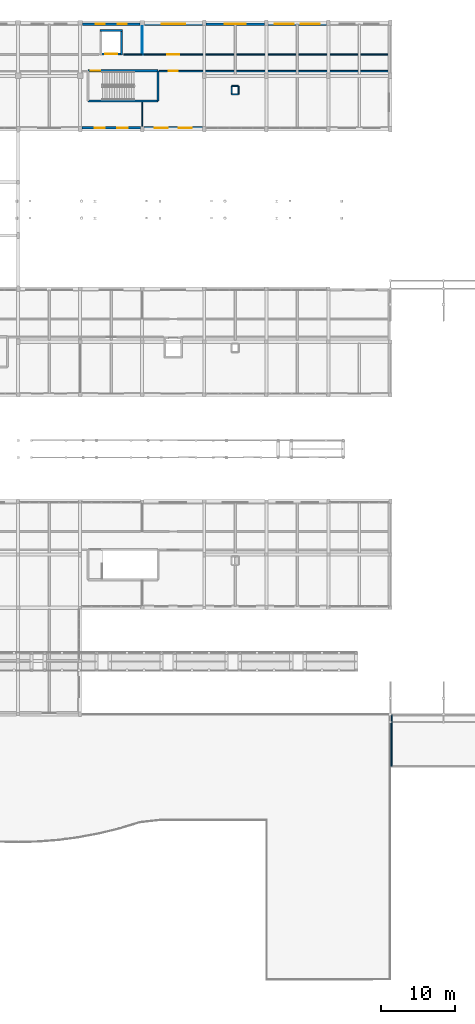
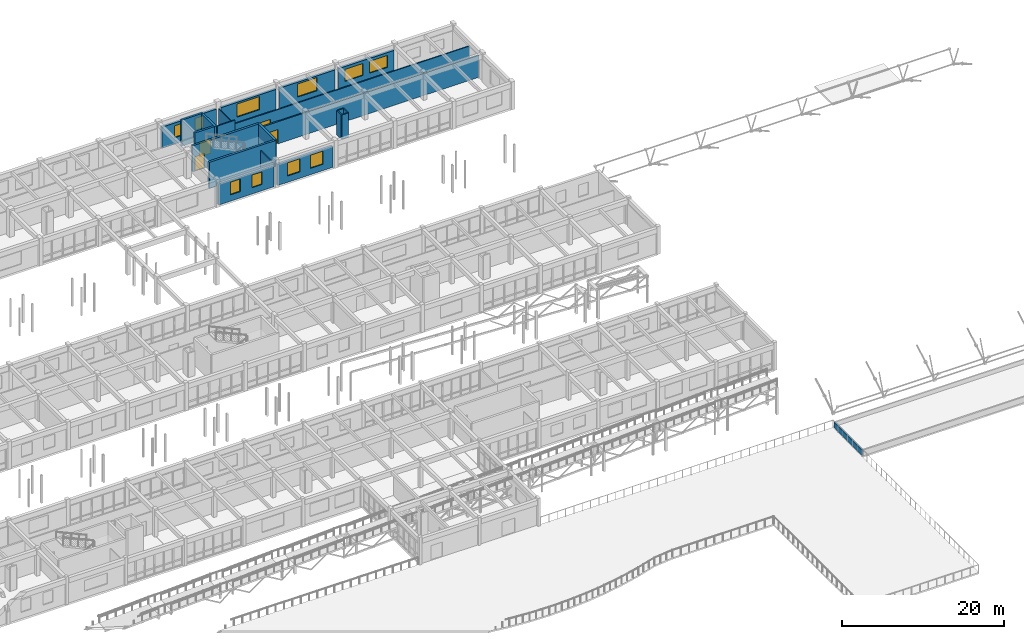
# One storey, part 78 of 90: 22 walls, 10 windows, 4 doors, 14 openings.
"""IFC4 building model written with IfcOpenShell, lengths in metres."""

import ifcopenshell
import ifcopenshell.guid

model = None  # the IFC model being written
_history = None  # IfcOwnerHistory: only IFC2X3 demands one
_inside = {}  # id of a spatial element -> (the spatial element, [elements in it])
_under = {}  # id of a project, library or spatial element -> (it, [spatial elements below it])
_declared = {}  # id of a project -> (the project, [libraries it declares])
_typed = {}  # id of a type object -> (the type object, [elements of that type])
_made_of = {}  # id of a material, layer set ... -> (it, [elements and type objects made of it])


def new_model(schema):
    """Start an empty IFC model of exactly this schema.

    Asked for "IFC4X3", IfcOpenShell would pick the latest addendum, in which some entities
    have other attributes; the version numbers below select the first issue.
    IFC2X3 requires an IfcOwnerHistory on every rooted entity: one is made here for all.
    """
    global model, _history
    if schema == "IFC4X3":
        model = ifcopenshell.file(schema_version=(4, 3, 0, 0))
    else:
        model = ifcopenshell.file(schema=schema)
    _inside.clear()
    _under.clear()
    _declared.clear()
    _typed.clear()
    _made_of.clear()
    _history = None
    if model.schema == "IFC2X3":
        org = make("IfcOrganization", Name="unknown")
        user = make(
            "IfcPersonAndOrganization",
            ThePerson=make("IfcPerson", FamilyName="unknown"),
            TheOrganization=org,
        )
        app = make(
            "IfcApplication",
            ApplicationDeveloper=org,
            Version="unknown",
            ApplicationFullName="unknown",
            ApplicationIdentifier="unknown",
        )
        _history = make(
            "IfcOwnerHistory",
            OwningUser=user,
            OwningApplication=app,
            ChangeAction="ADDED",
            CreationDate=0,
        )
    return model


def make(cls, **values):
    """One entity of the class cls with the attributes given. An attribute that is None is left unset."""
    return model.create_entity(
        cls, **{name: value for name, value in values.items() if value is not None}
    )


def rooted(cls, **values):
    """An entity with a GlobalId (a new one), such as an element, a storey or a relation."""
    return make(cls, GlobalId=ifcopenshell.guid.new(), OwnerHistory=_history, **values)


def si_unit(unit_type, name, prefix=None):
    """IfcSIUnit, for example si_unit("LENGTHUNIT", "METRE", prefix="MILLI")."""
    return make("IfcSIUnit", UnitType=unit_type, Prefix=prefix, Name=name)


def assignment(units):
    """IfcUnitAssignment: the units of a project."""
    return None if units is None else make("IfcUnitAssignment", Units=units)


def point(xyz):
    """IfcCartesianPoint."""
    return None if xyz is None else make("IfcCartesianPoint", Coordinates=xyz)


def direction(xyz):
    """IfcDirection."""
    return None if xyz is None else make("IfcDirection", DirectionRatios=xyz)


def frame(location, z_axis=None, x_axis=None):
    """IfcAxis2Placement3D, a coordinate frame: its origin and axes. An axis left out is left unset."""
    return make(
        "IfcAxis2Placement3D",
        Location=point(location),
        Axis=direction(z_axis),
        RefDirection=direction(x_axis),
    )


def frame_2d(location, x_axis=None):
    """IfcAxis2Placement2D, a coordinate frame in the plane: its origin and x axis."""
    return make(
        "IfcAxis2Placement2D", Location=point(location), RefDirection=direction(x_axis)
    )


def origin():
    """The frame at (0, 0, 0) with its axes left unset."""
    return frame((0.0, 0.0, 0.0))


def place(relative_to, where):
    """IfcLocalPlacement: puts the frame where relative to a parent placement (None: the world)."""
    return make(
        "IfcLocalPlacement", PlacementRelTo=relative_to, RelativePlacement=where
    )


def context(
    kind, dimensions, precision=None, world=None, true_north=None, identifier=None
):
    """IfcGeometricRepresentationContext, for example the 3D "Model" context."""
    return make(
        "IfcGeometricRepresentationContext",
        ContextIdentifier=identifier,
        ContextType=kind,
        CoordinateSpaceDimension=dimensions,
        Precision=precision,
        WorldCoordinateSystem=world,
        TrueNorth=true_north,
    )


def subcontext(parent, identifier, kind, view, scale=None):
    """IfcGeometricRepresentationSubContext, for example "Body" below "Model"."""
    return make(
        "IfcGeometricRepresentationSubContext",
        ContextIdentifier=identifier,
        ContextType=kind,
        ParentContext=parent,
        TargetScale=scale,
        TargetView=view,
    )


def project(units=None, contexts=None):
    """IfcProject with its units and contexts."""
    return rooted(
        "IfcProject",
        Name="project",
        RepresentationContexts=contexts,
        UnitsInContext=assignment(units),
    )


def spatial(cls, under=None, at=None, **own):
    """A site, building, storey or space (cls), placed at a placement, below another one or the project."""
    s = rooted(cls, ObjectPlacement=at, **own)
    if under is not None:
        _under.setdefault(under.id(), (under, []))[1].append(s)
    return s


def profile(cls, at=None, kind="AREA", **sizes):
    """A parametric profile (cls). Its sizes go by their IFC names, for example OverallWidth=200.0."""
    return make(cls, ProfileType=kind, Position=at, **sizes)


def rectangle(**sizes):
    """IfcRectangleProfileDef."""
    return profile("IfcRectangleProfileDef", **sizes)


def extrude(swept, where, along, depth):
    """IfcExtrudedAreaSolid: the profile swept, set in the frame where, extruded along a direction by depth."""
    return make(
        "IfcExtrudedAreaSolid",
        SweptArea=swept,
        Position=where,
        ExtrudedDirection=direction(along),
        Depth=depth,
    )


def shape(context_of_items, identifier, shape_type, items):
    """IfcShapeRepresentation: the items that make up one representation, for example the "Body"."""
    return make(
        "IfcShapeRepresentation",
        ContextOfItems=context_of_items,
        RepresentationIdentifier=identifier,
        RepresentationType=shape_type,
        Items=items,
    )


def material(Name=None, Category=None):
    """IfcMaterial."""
    return make("IfcMaterial", Name=Name, Category=Category)


def layer(
    of_material, thickness, ventilated=None, Name=None, Category=None, Priority=None
):
    """IfcMaterialLayer: one layer of a wall or slab, of a material (None: an air gap)."""
    return make(
        "IfcMaterialLayer",
        Material=of_material,
        LayerThickness=thickness,
        IsVentilated=ventilated,
        Name=Name,
        Category=Category,
        Priority=Priority,
    )


def layer_set(layers, Name=None):
    """IfcMaterialLayerSet."""
    return make("IfcMaterialLayerSet", MaterialLayers=layers, LayerSetName=Name)


def made_of(thing, what):
    """Note that an element or type object is made of a material, layer set ...; save() writes the relation."""
    if what is not None:
        _made_of.setdefault(what.id(), (what, []))[1].append(thing)
    return thing


def type_object(cls, material=None, **own):
    """A type object (cls), such as IfcWallType, which elements share."""
    return made_of(rooted(cls, **own), material)


def element(
    cls,
    number,
    at=None,
    inside=None,
    cuts=None,
    type_object=None,
    material=None,
    context=None,
    identifier="Body",
    shape_type=None,
    held_by="IfcProductDefinitionShape",
    body=None,
    shapes=None,
    **own,
):
    """One element of the class cls, such as IfcWall. Its Tag is "e" and its number.

    at: its placement. inside: the storey or other place that contains it. cuts: it is an
    opening in that element (IfcRelVoidsElement). A single representation is given by context,
    identifier, shape_type and body (its items); several are given by shapes. held_by: the class
    of the entity that holds the representations. save() writes the other relations.
    """
    e = rooted(cls, Tag="e%d" % number, ObjectPlacement=at, **own)
    if body is not None:
        shapes = [shape(context, identifier, shape_type, body)]
    if shapes is not None:
        e.Representation = make(held_by, Representations=shapes)
    if inside is not None:
        _inside.setdefault(inside.id(), (inside, []))[1].append(e)
    if cuts is not None:
        rooted(
            "IfcRelVoidsElement", RelatingBuildingElement=cuts, RelatedOpeningElement=e
        )
    if type_object is not None:
        _typed.setdefault(type_object.id(), (type_object, []))[1].append(e)
    return made_of(e, material)


def fill(opening, filler):
    """IfcRelFillsElement: the door or window that sits in an opening."""
    return rooted(
        "IfcRelFillsElement",
        RelatingOpeningElement=opening,
        RelatedBuildingElement=filler,
    )


def aggregate(whole, parts):
    """IfcRelAggregates: a whole, such as a stair, and the parts it consists of."""
    return rooted("IfcRelAggregates", RelatingObject=whole, RelatedObjects=parts)


def save(model, path):
    """Write the relations noted so far, then the file.

    IfcRelAggregates (storeys below a building ...), IfcRelContainedInSpatialStructure (elements
    in a storey), IfcRelDefinesByType, IfcRelAssociatesMaterial and IfcRelDeclares: one each for
    every whole, place, type object, material and project.
    """
    for whole, parts in _under.values():
        aggregate(whole, parts)
    for where, things in _inside.values():
        rooted(
            "IfcRelContainedInSpatialStructure",
            RelatedElements=things,
            RelatingStructure=where,
        )
    for kind, things in _typed.values():
        rooted("IfcRelDefinesByType", RelatedObjects=things, RelatingType=kind)
    for what, things in _made_of.values():
        rooted("IfcRelAssociatesMaterial", RelatedObjects=things, RelatingMaterial=what)
    for by, libraries in _declared.values():
        rooted("IfcRelDeclares", RelatingContext=by, RelatedDefinitions=libraries)
    model.write(path)


model = new_model("IFC4")

# Units and contexts
model_context = context("Model", 3, precision=1e-05, world=origin(), true_north=direction((0.0, 1.0)))
body_context = subcontext(model_context, "Body", "Model", "MODEL_VIEW")
ifc_project = project(units=[si_unit("LENGTHUNIT", "METRE"), si_unit("AREAUNIT", "SQUARE_METRE"), si_unit("VOLUMEUNIT", "CUBIC_METRE"), si_unit("PLANEANGLEUNIT", "RADIAN"), si_unit("MASSUNIT", "GRAM", prefix="KILO")], contexts=[model_context])

# Site, building, storey
site_placement = place(None, origin())
site = spatial("IfcSite", under=ifc_project, at=site_placement, CompositionType="ELEMENT")
building_placement = place(site_placement, origin())
building = spatial("IfcBuilding", under=site, at=building_placement, Name="Malvenik Polytechnic", CompositionType="ELEMENT")
storey_placement = place(building_placement, frame((0.0, 0.0, 9.300048828125)))
storey = spatial("IfcBuildingStorey", under=building, at=storey_placement, Name="L02", CompositionType="ELEMENT", Elevation=9.300048828125)

# Wall, opening, door
ifc_material_1 = material(Name="Concrete C35/45", Category="concrete")
ifc_layer_1 = layer(ifc_material_1, 0.280029296875)
ifc_layer_set_1 = layer_set([ifc_layer_1], Name="Concrete C35/45")
wall_type_1 = type_object("IfcWallType", Name="ARC-CW-S280", PredefinedType="SHEAR", material=ifc_layer_set_1)
wall_1_placement = place(storey_placement, frame((98.139892578125, 125.35009765625, 0.0), z_axis=(0.0, 0.0, 1.0), x_axis=(-1.0, 0.0, 0.0)))
wall_1 = element("IfcWall", 1, at=wall_1_placement, inside=storey, type_object=wall_type_1, Name="Lift Shaft Shear Wall LG-01 L02 -Y", PredefinedType="SHEAR", context=body_context, shape_type="SweptSolid", body=[
    extrude(rectangle(XDim=3.079833984375, YDim=0.280029296875, at=frame_2d((1.5400390625, 0.0))), origin(), (0.0, 0.0, 1.0), 3.93994140625),
])
opening_1_placement = place(wall_1_placement, frame((0.739990234375, 0.0, 0.0)))
opening_1 = element("IfcOpeningElement", 2, at=opening_1_placement, cuts=wall_1, Name="Opening LD-03", PredefinedType="OPENING", context=body_context, shape_type="SweptSolid", body=[
    extrude(rectangle(XDim=1.60009765625, YDim=2.199951171875, at=frame_2d((0.800048828125, 1.10009765625))), frame((0.0, 0.14990234375, 0.0), z_axis=(0.0, -1.0, 0.0), x_axis=(1.0, 0.0, 0.0)), (0.0, 0.0, 1.0), 0.300048828125),
])
ifc_material_2 = material(Name="Stainless steel fire-rated sliding lift landing door", Category="steel")
door_type_1 = type_object("IfcDoorType", Name="ARC-LDR-LD-03", OperationType="NOTDEFINED", PredefinedType="DOOR", material=ifc_material_2)
door_1_placement = place(opening_1_placement, origin())
door_1 = element("IfcDoor", 3, at=door_1_placement, inside=storey, type_object=door_type_1, Name="Lift Sliding Landing Door LG-01 L02", OperationType="DOUBLE_DOOR_SLIDING", OverallHeight=2.199951171875, OverallWidth=1.60009765625, PredefinedType="DOOR", context=body_context, shape_type="SweptSolid", body=[
    extrude(rectangle(XDim=1.60009765625, YDim=2.199951171875, at=frame_2d((0.800048828125, 1.10009765625))), frame((0.0, 0.02490234375, 0.0), z_axis=(0.0, -1.0, 0.0), x_axis=(1.0, 0.0, 0.0)), (0.0, 0.0, 1.0), 0.050048828125),
])
fill(opening_1, door_1)

# Walls
wall_2_placement = place(storey_placement, frame((95.06005859375, 128.550048828125, 0.0), z_axis=(0.0, 0.0, 1.0), x_axis=(1.0, 0.0, 0.0)))
element("IfcWall", 4, at=wall_2_placement, inside=storey, type_object=wall_type_1, Name="Lift Shaft Shear Wall LG-01 L02 +Y", PredefinedType="SHEAR", context=body_context, shape_type="SweptSolid", body=[
    extrude(rectangle(XDim=3.079833984375, YDim=0.280029296875, at=frame_2d((1.5400390625, 0.0))), origin(), (0.0, 0.0, 1.0), 3.93994140625),
])
wall_3_placement = place(storey_placement, frame((98.0, 128.68994140625, 0.0), z_axis=(0.0, 0.0, 1.0), x_axis=(0.0, -1.0, 0.0)))
element("IfcWall", 5, at=wall_3_placement, inside=storey, type_object=wall_type_1, Name="Lift Shaft Shear Wall LG-01 L02 +X", PredefinedType="SHEAR", context=body_context, shape_type="SweptSolid", body=[
    extrude(rectangle(XDim=3.47998046875, YDim=0.280029296875, at=frame_2d((1.739990234375, 0.0))), origin(), (0.0, 0.0, 1.0), 3.93994140625),
])

# Wall, opening, door
ifc_layer_2 = layer(ifc_material_1, 0.300048828125)
ifc_layer_set_2 = layer_set([ifc_layer_2], Name="Concrete C35/45")
wall_type_2 = type_object("IfcWallType", Name="ARC-CW-S300", PredefinedType="SHEAR", material=ifc_layer_set_2)
wall_4_placement = place(storey_placement, frame((93.449951171875, 123.10009765625, 0.0), z_axis=(0.0, 0.0, 1.0), x_axis=(1.0, 0.0, 0.0)))
wall_4 = element("IfcWall", 6, at=wall_4_placement, inside=storey, type_object=wall_type_2, Name="Stair Core Shear Wall ST-03 L02 RGHT", PredefinedType="SHEAR", context=body_context, shape_type="SweptSolid", body=[
    extrude(rectangle(XDim=9.5, YDim=0.300048828125, at=frame_2d((4.75, 0.0))), origin(), (0.0, 0.0, 1.0), 3.93994140625),
])
opening_2_placement = place(wall_4_placement, frame((0.35009765625, 0.0, 0.0)))
opening_2 = element("IfcOpeningElement", 7, at=opening_2_placement, cuts=wall_4, Name="Opening SD-01", PredefinedType="OPENING", context=body_context, shape_type="SweptSolid", body=[
    extrude(rectangle(XDim=1.35009765625, YDim=2.199951171875, at=frame_2d((0.675048828125, 1.10009765625))), frame((0.0, 0.16015625, 0.0), z_axis=(0.0, -1.0, 0.0), x_axis=(1.0, 0.0, 0.0)), (0.0, 0.0, 1.0), 0.320068359375),
])
ifc_material_3 = material(Name="Fire-rated steel stair enclosure door", Category="steel")
door_type_2 = type_object("IfcDoorType", Name="ARC-IDR-SD-01", OperationType="NOTDEFINED", PredefinedType="DOOR", material=ifc_material_3)
door_2_placement = place(opening_2_placement, origin())
door_2 = element("IfcDoor", 8, at=door_2_placement, inside=storey, type_object=door_type_2, Name="Fire Stair Door ST-03 L02", OperationType="SINGLE_SWING_LEFT", OverallHeight=2.199951171875, OverallWidth=1.35009765625, PredefinedType="DOOR", context=body_context, shape_type="SweptSolid", body=[
    extrude(rectangle(XDim=1.35009765625, YDim=2.199951171875, at=frame_2d((0.675048828125, 1.10009765625))), frame((0.0, 0.02490234375, 0.0), z_axis=(0.0, -1.0, 0.0), x_axis=(1.0, 0.0, 0.0)), (0.0, 0.0, 1.0), 0.050048828125),
])
fill(opening_2, door_2)

# Walls
wall_5_placement = place(storey_placement, frame((102.949951171875, 123.10009765625, 0.0), z_axis=(0.0, 0.0, 1.0), x_axis=(0.0, -1.0, 0.0)))
element("IfcWall", 9, at=wall_5_placement, inside=storey, type_object=wall_type_2, Name="Stair Core Shear Wall ST-03 L02 FAR", PredefinedType="SHEAR", context=body_context, shape_type="SweptSolid", body=[
    extrude(rectangle(XDim=4.10009765625, YDim=0.300048828125, at=frame_2d((2.050048828125, 0.0))), origin(), (0.0, 0.0, 1.0), 3.93994140625),
])
wall_6_placement = place(storey_placement, frame((102.949951171875, 119.0, 0.0), z_axis=(0.0, 0.0, 1.0), x_axis=(-1.0, 0.0, 0.0)))
element("IfcWall", 10, at=wall_6_placement, inside=storey, type_object=wall_type_2, Name="Stair Core Shear Wall ST-03 L02 LEFT", PredefinedType="SHEAR", context=body_context, shape_type="SweptSolid", body=[
    extrude(rectangle(XDim=9.5, YDim=0.300048828125, at=frame_2d((4.75, 0.0))), origin(), (0.0, 0.0, 1.0), 3.93994140625),
])

# Wall, openings, windows
ifc_material_4 = material(Name="Concrete C30/37", Category="concrete")
ifc_layer_3 = layer(ifc_material_4, 0.340087890625)
ifc_layer_set_3 = layer_set([ifc_layer_3], Name="Concrete C30/37")
wall_type_3 = type_object("IfcWallType", Name="ARC-EW-340", PredefinedType="SOLIDWALL", material=ifc_layer_set_3)
wall_7_placement = place(storey_placement, frame((108.951904296875, 115.3701171875, 0.0), z_axis=(0.0, 0.0, 1.0), x_axis=(-1.0, 0.0, 0.0)))
wall_7 = element("IfcWall", 11, at=wall_7_placement, inside=storey, type_object=wall_type_3, Name="External Facade Wall EW-02 L02 #324", PredefinedType="SOLIDWALL", context=body_context, shape_type="SweptSolid", body=[
    extrude(rectangle(XDim=7.90380859375, YDim=0.340087890625, at=frame_2d((3.951904296875, 0.0))), origin(), (0.0, 0.0, 1.0), 3.179931640625),
])
opening_3_placement = place(wall_7_placement, frame((1.434814453125, 0.0, 0.949951171875)))
opening_3 = element("IfcOpeningElement", 12, at=opening_3_placement, cuts=wall_7, Name="Opening W-04", PredefinedType="OPENING", context=body_context, shape_type="SweptSolid", body=[
    extrude(rectangle(XDim=1.800048828125, YDim=1.97998046875, at=frame_2d((0.89990234375, 0.989990234375))), frame((0.0, 0.18017578125, 0.0), z_axis=(0.0, -1.0, 0.0), x_axis=(1.0, 0.0, 0.0)), (0.0, 0.0, 1.0), 0.360107421875),
])
opening_4_placement = place(wall_7_placement, frame((4.66943359375, 0.0, 0.949951171875)))
opening_4 = element("IfcOpeningElement", 13, at=opening_4_placement, cuts=wall_7, Name="Opening W-04", PredefinedType="OPENING", context=body_context, shape_type="SweptSolid", body=[
    extrude(rectangle(XDim=1.800048828125, YDim=1.97998046875, at=frame_2d((0.89990234375, 0.989990234375))), frame((0.0, 0.18017578125, 0.0), z_axis=(0.0, -1.0, 0.0), x_axis=(1.0, 0.0, 0.0)), (0.0, 0.0, 1.0), 0.360107421875),
])
ifc_material_5 = material(Name="Thermally broken aluminium frame with low-E double glazing", Category="aluminium")
window_type_1 = type_object("IfcWindowType", Name="ARC-WIN-W-04", PartitioningType="SINGLE_PANEL", PredefinedType="WINDOW", material=ifc_material_5)
window_1_placement = place(opening_3_placement, origin())
window_1 = element("IfcWindow", 14, at=window_1_placement, inside=storey, type_object=window_type_1, Name="Punched Window W-04 L02 #308", OverallHeight=1.97998046875, OverallWidth=1.800048828125, PartitioningType="SINGLE_PANEL", PredefinedType="WINDOW", context=body_context, shape_type="SweptSolid", body=[
    extrude(rectangle(XDim=1.800048828125, YDim=1.97998046875, at=frame_2d((0.89990234375, 0.989990234375))), frame((0.0, 0.030029296875, 0.0), z_axis=(0.0, -1.0, 0.0), x_axis=(1.0, 0.0, 0.0)), (0.0, 0.0, 1.0), 0.06005859375),
])
fill(opening_3, window_1)
window_2_placement = place(opening_4_placement, origin())
window_2 = element("IfcWindow", 15, at=window_2_placement, inside=storey, type_object=window_type_1, Name="Punched Window W-04 L02 #309", OverallHeight=1.97998046875, OverallWidth=1.800048828125, PartitioningType="SINGLE_PANEL", PredefinedType="WINDOW", context=body_context, shape_type="SweptSolid", body=[
    extrude(rectangle(XDim=1.800048828125, YDim=1.97998046875, at=frame_2d((0.89990234375, 0.989990234375))), frame((0.0, 0.030029296875, 0.0), z_axis=(0.0, -1.0, 0.0), x_axis=(1.0, 0.0, 0.0)), (0.0, 0.0, 1.0), 0.06005859375),
])
fill(opening_4, window_2)

wall_8_placement = place(storey_placement, frame((100.552001953125, 115.3701171875, 0.0), z_axis=(0.0, 0.0, 1.0), x_axis=(-1.0, 0.0, 0.0)))
wall_8 = element("IfcWall", 16, at=wall_8_placement, inside=storey, type_object=wall_type_3, Name="External Facade Wall EW-02 L02 #325", PredefinedType="SOLIDWALL", context=body_context, shape_type="SweptSolid", body=[
    extrude(rectangle(XDim=7.904052734375, YDim=0.340087890625, at=frame_2d((3.9521484375, 0.0))), origin(), (0.0, 0.0, 1.0), 3.179931640625),
])
opening_5_placement = place(wall_8_placement, frame((1.701416015625, 0.0, 0.949951171875)))
opening_5 = element("IfcOpeningElement", 17, at=opening_5_placement, cuts=wall_8, Name="Opening W-06", PredefinedType="OPENING", context=body_context, shape_type="SweptSolid", body=[
    extrude(rectangle(XDim=1.39990234375, YDim=1.89990234375, at=frame_2d((0.699951171875, 0.949951171875))), frame((0.0, 0.18017578125, 0.0), z_axis=(0.0, -1.0, 0.0), x_axis=(1.0, 0.0, 0.0)), (0.0, 0.0, 1.0), 0.360107421875),
])
opening_6_placement = place(wall_8_placement, frame((4.802490234375, 0.0, 0.949951171875)))
opening_6 = element("IfcOpeningElement", 18, at=opening_6_placement, cuts=wall_8, Name="Opening W-06", PredefinedType="OPENING", context=body_context, shape_type="SweptSolid", body=[
    extrude(rectangle(XDim=1.39990234375, YDim=1.89990234375, at=frame_2d((0.699951171875, 0.949951171875))), frame((0.0, 0.18017578125, 0.0), z_axis=(0.0, -1.0, 0.0), x_axis=(1.0, 0.0, 0.0)), (0.0, 0.0, 1.0), 0.360107421875),
])
window_type_2 = type_object("IfcWindowType", Name="ARC-WIN-W-06", PartitioningType="SINGLE_PANEL", PredefinedType="WINDOW", material=ifc_material_5)
window_3_placement = place(opening_5_placement, origin())
window_3 = element("IfcWindow", 19, at=window_3_placement, inside=storey, type_object=window_type_2, Name="Punched Window W-06 L02 #310", OverallHeight=1.89990234375, OverallWidth=1.39990234375, PartitioningType="SINGLE_PANEL", PredefinedType="WINDOW", context=body_context, shape_type="SweptSolid", body=[
    extrude(rectangle(XDim=1.39990234375, YDim=1.89990234375, at=frame_2d((0.699951171875, 0.949951171875))), frame((0.0, 0.030029296875, 0.0), z_axis=(0.0, -1.0, 0.0), x_axis=(1.0, 0.0, 0.0)), (0.0, 0.0, 1.0), 0.06005859375),
])
fill(opening_5, window_3)
window_4_placement = place(opening_6_placement, origin())
window_4 = element("IfcWindow", 20, at=window_4_placement, inside=storey, type_object=window_type_2, Name="Punched Window W-06 L02 #311", OverallHeight=1.89990234375, OverallWidth=1.39990234375, PartitioningType="SINGLE_PANEL", PredefinedType="WINDOW", context=body_context, shape_type="SweptSolid", body=[
    extrude(rectangle(XDim=1.39990234375, YDim=1.89990234375, at=frame_2d((0.699951171875, 0.949951171875))), frame((0.0, 0.030029296875, 0.0), z_axis=(0.0, -1.0, 0.0), x_axis=(1.0, 0.0, 0.0)), (0.0, 0.0, 1.0), 0.06005859375),
])
fill(opening_6, window_4)

wall_9_placement = place(storey_placement, frame((92.722900390625, 129.429931640625, 0.0), z_axis=(0.0, 0.0, 1.0), x_axis=(1.0, 0.0, 0.0)))
wall_9 = element("IfcWall", 21, at=wall_9_placement, inside=storey, type_object=wall_type_3, Name="External Facade Wall EW-02 L02 #347", PredefinedType="SOLIDWALL", context=body_context, shape_type="SweptSolid", body=[
    extrude(rectangle(XDim=7.754150390625, YDim=0.340087890625, at=frame_2d((3.876953125, 0.0))), origin(), (0.0, 0.0, 1.0), 3.179931640625),
])
opening_7_placement = place(wall_9_placement, frame((1.78466796875, 0.0, 0.949951171875)))
opening_7 = element("IfcOpeningElement", 22, at=opening_7_placement, cuts=wall_9, Name="Opening W-07", PredefinedType="OPENING", context=body_context, shape_type="SweptSolid", body=[
    extrude(rectangle(XDim=1.199951171875, YDim=1.800048828125, at=frame_2d((0.60009765625, 0.89990234375))), frame((0.0, 0.18017578125, 0.0), z_axis=(0.0, -1.0, 0.0), x_axis=(1.0, 0.0, 0.0)), (0.0, 0.0, 1.0), 0.360107421875),
])
opening_8_placement = place(wall_9_placement, frame((4.769287109375, 0.0, 0.949951171875)))
opening_8 = element("IfcOpeningElement", 23, at=opening_8_placement, cuts=wall_9, Name="Opening W-07", PredefinedType="OPENING", context=body_context, shape_type="SweptSolid", body=[
    extrude(rectangle(XDim=1.199951171875, YDim=1.800048828125, at=frame_2d((0.60009765625, 0.89990234375))), frame((0.0, 0.18017578125, 0.0), z_axis=(0.0, -1.0, 0.0), x_axis=(1.0, 0.0, 0.0)), (0.0, 0.0, 1.0), 0.360107421875),
])
window_type_3 = type_object("IfcWindowType", Name="ARC-WIN-W-07", PartitioningType="SINGLE_PANEL", PredefinedType="WINDOW", material=ifc_material_5)
window_5_placement = place(opening_7_placement, origin())
window_5 = element("IfcWindow", 24, at=window_5_placement, inside=storey, type_object=window_type_3, Name="Punched Window W-07 L02 #343", OverallHeight=1.800048828125, OverallWidth=1.199951171875, PartitioningType="SINGLE_PANEL", PredefinedType="WINDOW", context=body_context, shape_type="SweptSolid", body=[
    extrude(rectangle(XDim=1.199951171875, YDim=1.800048828125, at=frame_2d((0.60009765625, 0.89990234375))), frame((0.0, 0.030029296875, 0.0), z_axis=(0.0, -1.0, 0.0), x_axis=(1.0, 0.0, 0.0)), (0.0, 0.0, 1.0), 0.06005859375),
])
fill(opening_7, window_5)
window_6_placement = place(opening_8_placement, origin())
window_6 = element("IfcWindow", 25, at=window_6_placement, inside=storey, type_object=window_type_3, Name="Punched Window W-07 L02 #344", OverallHeight=1.800048828125, OverallWidth=1.199951171875, PartitioningType="SINGLE_PANEL", PredefinedType="WINDOW", context=body_context, shape_type="SweptSolid", body=[
    extrude(rectangle(XDim=1.199951171875, YDim=1.800048828125, at=frame_2d((0.60009765625, 0.89990234375))), frame((0.0, 0.030029296875, 0.0), z_axis=(0.0, -1.0, 0.0), x_axis=(1.0, 0.0, 0.0)), (0.0, 0.0, 1.0), 0.06005859375),
])
fill(opening_8, window_6)

# Wall, opening, window
wall_10_placement = place(storey_placement, frame((101.123046875, 129.429931640625, 0.0), z_axis=(0.0, 0.0, 1.0), x_axis=(1.0, 0.0, 0.0)))
wall_10 = element("IfcWall", 26, at=wall_10_placement, inside=storey, type_object=wall_type_3, Name="External Facade Wall EW-02 L02 #348", PredefinedType="SOLIDWALL", context=body_context, shape_type="SweptSolid", body=[
    extrude(rectangle(XDim=7.828857421875, YDim=0.340087890625, at=frame_2d((3.91455078125, 0.0))), origin(), (0.0, 0.0, 1.0), 3.179931640625),
])
opening_9_placement = place(wall_10_placement, frame((2.314453125, 0.0, 0.949951171875)))
opening_9 = element("IfcOpeningElement", 27, at=opening_9_placement, cuts=wall_10, Name="Opening W-09", PredefinedType="OPENING", context=body_context, shape_type="SweptSolid", body=[
    extrude(rectangle(XDim=3.199951171875, YDim=1.97998046875, at=frame_2d((1.60009765625, 0.989990234375))), frame((0.0, 0.18017578125, 0.0), z_axis=(0.0, -1.0, 0.0), x_axis=(1.0, 0.0, 0.0)), (0.0, 0.0, 1.0), 0.360107421875),
])
window_type_4 = type_object("IfcWindowType", Name="ARC-WIN-W-09", PartitioningType="SINGLE_PANEL", PredefinedType="WINDOW", material=ifc_material_5)
window_7_placement = place(opening_9_placement, origin())
window_7 = element("IfcWindow", 28, at=window_7_placement, inside=storey, type_object=window_type_4, Name="Punched Window W-09 L02 #345", OverallHeight=1.97998046875, OverallWidth=3.199951171875, PartitioningType="SINGLE_PANEL", PredefinedType="WINDOW", context=body_context, shape_type="SweptSolid", body=[
    extrude(rectangle(XDim=3.199951171875, YDim=1.97998046875, at=frame_2d((1.60009765625, 0.989990234375))), frame((0.0, 0.030029296875, 0.0), z_axis=(0.0, -1.0, 0.0), x_axis=(1.0, 0.0, 0.0)), (0.0, 0.0, 1.0), 0.06005859375),
])
fill(opening_9, window_7)

wall_11_placement = place(storey_placement, frame((109.447998046875, 129.429931640625, 0.0), z_axis=(0.0, 0.0, 1.0), x_axis=(1.0, 0.0, 0.0)))
wall_11 = element("IfcWall", 29, at=wall_11_placement, inside=storey, type_object=wall_type_3, Name="External Facade Wall EW-02 L02 #349", PredefinedType="SOLIDWALL", context=body_context, shape_type="SweptSolid", body=[
    extrude(rectangle(XDim=7.904052734375, YDim=0.340087890625, at=frame_2d((3.9521484375, 0.0))), origin(), (0.0, 0.0, 1.0), 3.179931640625),
])
opening_10_placement = place(wall_11_placement, frame((2.552001953125, 0.0, 0.949951171875)))
opening_10 = element("IfcOpeningElement", 30, at=opening_10_placement, cuts=wall_11, Name="Opening W-10", PredefinedType="OPENING", context=body_context, shape_type="SweptSolid", body=[
    extrude(rectangle(XDim=2.800048828125, YDim=1.97998046875, at=frame_2d((1.39990234375, 0.989990234375))), frame((0.0, 0.18017578125, 0.0), z_axis=(0.0, -1.0, 0.0), x_axis=(1.0, 0.0, 0.0)), (0.0, 0.0, 1.0), 0.360107421875),
])
window_type_5 = type_object("IfcWindowType", Name="ARC-WIN-W-10", PartitioningType="SINGLE_PANEL", PredefinedType="WINDOW", material=ifc_material_5)
window_8_placement = place(opening_10_placement, origin())
window_8 = element("IfcWindow", 31, at=window_8_placement, inside=storey, type_object=window_type_5, Name="Punched Window W-10 L02 #346", OverallHeight=1.97998046875, OverallWidth=2.800048828125, PartitioningType="SINGLE_PANEL", PredefinedType="WINDOW", context=body_context, shape_type="SweptSolid", body=[
    extrude(rectangle(XDim=2.800048828125, YDim=1.97998046875, at=frame_2d((1.39990234375, 0.989990234375))), frame((0.0, 0.030029296875, 0.0), z_axis=(0.0, -1.0, 0.0), x_axis=(1.0, 0.0, 0.0)), (0.0, 0.0, 1.0), 0.06005859375),
])
fill(opening_10, window_8)

# Wall, openings, windows
wall_12_placement = place(storey_placement, frame((117.847900390625, 129.429931640625, 0.0), z_axis=(0.0, 0.0, 1.0), x_axis=(1.0, 0.0, 0.0)))
wall_12 = element("IfcWall", 32, at=wall_12_placement, inside=storey, type_object=wall_type_3, Name="External Facade Wall EW-02 L02 #350", PredefinedType="SOLIDWALL", context=body_context, shape_type="SweptSolid", body=[
    extrude(rectangle(XDim=7.904052734375, YDim=0.340087890625, at=frame_2d((3.9521484375, 0.0))), origin(), (0.0, 0.0, 1.0), 3.179931640625),
])
opening_11_placement = place(wall_12_placement, frame((0.9013671875, 0.0, 0.949951171875)))
opening_11 = element("IfcOpeningElement", 33, at=opening_11_placement, cuts=wall_12, Name="Opening W-11", PredefinedType="OPENING", context=body_context, shape_type="SweptSolid", body=[
    extrude(rectangle(XDim=2.60009765625, YDim=1.800048828125, at=frame_2d((1.300048828125, 0.89990234375))), frame((0.0, 0.18017578125, 0.0), z_axis=(0.0, -1.0, 0.0), x_axis=(1.0, 0.0, 0.0)), (0.0, 0.0, 1.0), 0.360107421875),
])
opening_12_placement = place(wall_12_placement, frame((4.402587890625, 0.0, 0.949951171875)))
opening_12 = element("IfcOpeningElement", 34, at=opening_12_placement, cuts=wall_12, Name="Opening W-11", PredefinedType="OPENING", context=body_context, shape_type="SweptSolid", body=[
    extrude(rectangle(XDim=2.60009765625, YDim=1.800048828125, at=frame_2d((1.300048828125, 0.89990234375))), frame((0.0, 0.18017578125, 0.0), z_axis=(0.0, -1.0, 0.0), x_axis=(1.0, 0.0, 0.0)), (0.0, 0.0, 1.0), 0.360107421875),
])
window_type_6 = type_object("IfcWindowType", Name="ARC-WIN-W-11", PartitioningType="SINGLE_PANEL", PredefinedType="WINDOW", material=ifc_material_5)
window_9_placement = place(opening_11_placement, origin())
window_9 = element("IfcWindow", 35, at=window_9_placement, inside=storey, type_object=window_type_6, Name="Punched Window W-11 L02 #347", OverallHeight=1.800048828125, OverallWidth=2.60009765625, PartitioningType="SINGLE_PANEL", PredefinedType="WINDOW", context=body_context, shape_type="SweptSolid", body=[
    extrude(rectangle(XDim=2.60009765625, YDim=1.800048828125, at=frame_2d((1.300048828125, 0.89990234375))), frame((0.0, 0.030029296875, 0.0), z_axis=(0.0, -1.0, 0.0), x_axis=(1.0, 0.0, 0.0)), (0.0, 0.0, 1.0), 0.06005859375),
])
fill(opening_11, window_9)
window_10_placement = place(opening_12_placement, origin())
window_10 = element("IfcWindow", 36, at=window_10_placement, inside=storey, type_object=window_type_6, Name="Punched Window W-11 L02 #348", OverallHeight=1.800048828125, OverallWidth=2.60009765625, PartitioningType="SINGLE_PANEL", PredefinedType="WINDOW", context=body_context, shape_type="SweptSolid", body=[
    extrude(rectangle(XDim=2.60009765625, YDim=1.800048828125, at=frame_2d((1.300048828125, 0.89990234375))), frame((0.0, 0.030029296875, 0.0), z_axis=(0.0, -1.0, 0.0), x_axis=(1.0, 0.0, 0.0)), (0.0, 0.0, 1.0), 0.06005859375),
])
fill(opening_12, window_10)

# Wall, opening, door
ifc_material_6 = material(Name="Calcium silicate fire-rated blockwork 200mm", Category="masonry")
ifc_layer_4 = layer(ifc_material_6, 0.199951171875)
ifc_layer_set_4 = layer_set([ifc_layer_4], Name="Calcium silicate fire-rated blockwork 200mm")
wall_type_4 = type_object("IfcWallType", Name="ARC-FW-200", PredefinedType="SOLIDWALL", material=ifc_layer_set_4)
wall_13_placement = place(storey_placement, frame((134.179931640625, 123.050048828125, 0.0), z_axis=(0.0, 0.0, 1.0), x_axis=(-1.0, 0.0, 0.0)))
wall_13 = element("IfcWall", 37, at=wall_13_placement, inside=storey, type_object=wall_type_4, Name="Interior Partition FW-02 L02 #262", PredefinedType="SOLIDWALL", context=body_context, shape_type="SweptSolid", body=[
    extrude(rectangle(XDim=31.08984375, YDim=0.199951171875, at=frame_2d((15.544921875, 0.0))), origin(), (0.0, 0.0, 1.0), 3.324951171875),
])
opening_13_placement = place(wall_13_placement, frame((28.580078125, 0.0, 0.0)))
opening_13 = element("IfcOpeningElement", 38, at=opening_13_placement, cuts=wall_13, Name="Opening FD-10", PredefinedType="OPENING", context=body_context, shape_type="SweptSolid", body=[
    extrude(rectangle(XDim=1.199951171875, YDim=2.14990234375, at=frame_2d((0.60009765625, 1.074951171875))), frame((0.0, 0.10986328125, 0.0), z_axis=(0.0, -1.0, 0.0), x_axis=(1.0, 0.0, 0.0)), (0.0, 0.0, 1.0), 0.219970703125),
])
ifc_material_7 = material(Name="Fire-rated laboratory corridor door", Category="steel")
door_type_3 = type_object("IfcDoorType", Name="ARC-IDR-FD-10", OperationType="NOTDEFINED", PredefinedType="DOOR", material=ifc_material_7)
door_3_placement = place(opening_13_placement, origin())
door_3 = element("IfcDoor", 39, at=door_3_placement, inside=storey, type_object=door_type_3, Name="Interior Door FD-10 L02 #111", OperationType="SINGLE_SWING_LEFT", OverallHeight=2.14990234375, OverallWidth=1.199951171875, PredefinedType="DOOR", context=body_context, shape_type="SweptSolid", body=[
    extrude(rectangle(XDim=1.199951171875, YDim=2.14990234375, at=frame_2d((0.60009765625, 1.074951171875))), frame((0.0, 0.02490234375, 0.0), z_axis=(0.0, -1.0, 0.0), x_axis=(1.0, 0.0, 0.0)), (0.0, 0.0, 1.0), 0.050048828125),
])
fill(opening_13, door_3)

# Walls
ifc_material_8 = material(Name="Metal-stud gypsum board partition 125mm", Category="gypsum")
ifc_layer_5 = layer(ifc_material_8, 0.125)
ifc_layer_set_5 = layer_set([ifc_layer_5], Name="Metal-stud gypsum board partition 125mm")
wall_type_5 = type_object("IfcWallType", Name="ARC-PW-125", PredefinedType="PARTITIONING", material=ifc_layer_set_5)
wall_14_placement = place(storey_placement, frame((100.800048828125, 125.300048828125, 0.0), z_axis=(0.0, 0.0, 1.0), x_axis=(0.0, 1.0, 0.0)))
element("IfcWall", 40, at=wall_14_placement, inside=storey, type_object=wall_type_5, Name="Interior Partition PW-03I L02 #244", PredefinedType="PARTITIONING", context=body_context, shape_type="SweptSolid", body=[
    extrude(rectangle(XDim=3.954833984375, YDim=0.125, at=frame_2d((1.9775390625, 0.0))), origin(), (0.0, 0.0, 1.0), 3.175048828125),
])
ifc_material_9 = material(Name="Acoustic metal-stud gypsum partition 140mm", Category="gypsum")
ifc_layer_6 = layer(ifc_material_9, 0.139892578125)
ifc_layer_set_6 = layer_set([ifc_layer_6], Name="Acoustic metal-stud gypsum partition 140mm")
wall_type_6 = type_object("IfcWallType", Name="ARC-PW-140", PredefinedType="PARTITIONING", material=ifc_layer_set_6)
wall_15_placement = place(storey_placement, frame((100.800048828125, 115.594970703125, 0.0), z_axis=(0.0, 0.0, 1.0), x_axis=(0.0, 1.0, 0.0)))
element("IfcWall", 41, at=wall_15_placement, inside=storey, type_object=wall_type_6, Name="Interior Partition PW-02I L02 #261", PredefinedType="PARTITIONING", context=body_context, shape_type="SweptSolid", body=[
    extrude(rectangle(XDim=3.26513671875, YDim=0.139892578125, at=frame_2d((1.632568359375, 0.0))), origin(), (0.0, 0.0, 1.0), 3.175048828125),
])
ifc_material_10 = material(Name="Double-stud acoustic gypsum board partition 160mm", Category="gypsum")
ifc_layer_7 = layer(ifc_material_10, 0.159912109375)
ifc_layer_set_7 = layer_set([ifc_layer_7], Name="Double-stud acoustic gypsum board partition 160mm")
wall_type_7 = type_object("IfcWallType", Name="ARC-PW-160", PredefinedType="PARTITIONING", material=ifc_layer_set_7)
for number, where, z_axis, x_axis, name in (
    (42, (112.919921875, 119.919921875, 0.0), (0.0, 0.0, 1.0), (1.0, 0.0, 0.0), "Riser Shaft Enclosure L02 #30S"),
    (43, (113.830078125, 121.030029296875, 0.0), (0.0, 0.0, 1.0), (-1.0, 0.0, 0.0), "Riser Shaft Enclosure L02 #30N"),
):
    element("IfcWall", number, at=place(storey_placement, frame(where, z_axis=z_axis, x_axis=x_axis)), inside=storey, type_object=wall_type_7, Name=name, PredefinedType="PARTITIONING", context=body_context, shape_type="SweptSolid", body=[
        extrude(rectangle(XDim=0.91015625, YDim=0.159912109375, at=frame_2d((0.455078125, 0.0))), origin(), (0.0, 0.0, 1.0), 3.64990234375),
    ])
for number, where, z_axis, x_axis, name in (
    (44, (112.919921875, 121.030029296875, 0.0), (0.0, 0.0, 1.0), (0.0, -1.0, 0.0), "Riser Shaft Enclosure L02 #30W"),
    (45, (113.830078125, 119.919921875, 0.0), (0.0, 0.0, 1.0), (0.0, 1.0, 0.0), "Riser Shaft Enclosure L02 #30E"),
):
    element("IfcWall", number, at=place(storey_placement, frame(where, z_axis=z_axis, x_axis=x_axis)), inside=storey, type_object=wall_type_7, Name=name, PredefinedType="PARTITIONING", context=body_context, shape_type="SweptSolid", body=[
        extrude(rectangle(XDim=1.110107421875, YDim=0.159912109375, at=frame_2d((0.55517578125, 0.0))), origin(), (0.0, 0.0, 1.0), 3.64990234375),
    ])
wall_16_placement = place(storey_placement, frame((98.27001953125, 125.300048828125, 0.0), z_axis=(0.0, 0.0, 1.0), x_axis=(1.0, 0.0, 0.0)))
element("IfcWall", 46, at=wall_16_placement, inside=storey, type_object=wall_type_7, Name="Interior Partition PW-01I L02 #243", PredefinedType="PARTITIONING", context=body_context, shape_type="SweptSolid", body=[
    extrude(rectangle(XDim=2.530029296875, YDim=0.159912109375, at=frame_2d((1.26513671875, 0.0))), origin(), (0.0, 0.0, 1.0), 3.849853515625),
])

# Wall, opening, door
wall_17_placement = place(storey_placement, frame((100.800048828125, 125.300048828125, 0.0), z_axis=(0.0, 0.0, 1.0), x_axis=(1.0, 0.0, 0.0)))
wall_17 = element("IfcWall", 47, at=wall_17_placement, inside=storey, type_object=wall_type_7, Name="Interior Partition PW-01I L02 #245", PredefinedType="PARTITIONING", context=body_context, shape_type="SweptSolid", body=[
    extrude(rectangle(XDim=33.3798828125, YDim=0.159912109375, at=frame_2d((16.68994140625, 0.0))), origin(), (0.0, 0.0, 1.0), 3.324951171875),
])
opening_14_placement = place(wall_17_placement, frame((3.375, 0.0, 0.0)))
opening_14 = element("IfcOpeningElement", 48, at=opening_14_placement, cuts=wall_17, Name="Opening FD-03", PredefinedType="OPENING", context=body_context, shape_type="SweptSolid", body=[
    extrude(rectangle(XDim=1.64990234375, YDim=2.199951171875, at=frame_2d((0.824951171875, 1.10009765625))), frame((0.0, 0.08984375, 0.0), z_axis=(0.0, -1.0, 0.0), x_axis=(1.0, 0.0, 0.0)), (0.0, 0.0, 1.0), 0.179931640625),
])
ifc_material_11 = material(Name="Fire-rated double-leaf laboratory door", Category="steel")
door_type_4 = type_object("IfcDoorType", Name="ARC-IDR-FD-03", OperationType="NOTDEFINED", PredefinedType="DOOR", material=ifc_material_11)
door_4_placement = place(opening_14_placement, origin())
door_4 = element("IfcDoor", 49, at=door_4_placement, inside=storey, type_object=door_type_4, Name="Interior Door FD-03 L02 #105", OperationType="DOUBLE_DOOR_SINGLE_SWING", OverallHeight=2.199951171875, OverallWidth=1.64990234375, PredefinedType="DOOR", context=body_context, shape_type="SweptSolid", body=[
    extrude(rectangle(XDim=1.64990234375, YDim=2.199951171875, at=frame_2d((0.824951171875, 1.10009765625))), frame((0.0, 0.02490234375, 0.0), z_axis=(0.0, -1.0, 0.0), x_axis=(1.0, 0.0, 0.0)), (0.0, 0.0, 1.0), 0.050048828125),
])
fill(opening_14, door_4)

# Wall
ifc_material_12 = material(Name="Precast concrete C40/50", Category="concrete")
ifc_layer_8 = layer(ifc_material_12, 0.199951171875)
ifc_layer_set_8 = layer_set([ifc_layer_8], Name="Precast concrete C40/50")
wall_type_8 = type_object("IfcWallType", Name="ARC-PW-200", PredefinedType="PARAPET", material=ifc_layer_set_8)
wall_18_placement = place(storey_placement, frame((134.52001953125, 28.919921875, 0.0), z_axis=(0.0, 0.0, 1.0), x_axis=(0.0, 1.0, 0.0)))
element("IfcWall", 50, at=wall_18_placement, inside=storey, type_object=wall_type_8, Name="V5 South Wing Roof Parapet PW-02 #4", PredefinedType="PARAPET", context=body_context, shape_type="SweptSolid", body=[
    extrude(rectangle(XDim=6.9599609375, YDim=0.199951171875, at=frame_2d((3.47998046875, 0.0))), origin(), (0.0, 0.0, 1.0), 0.849853515625),
])

save(model, "model.ifc")
